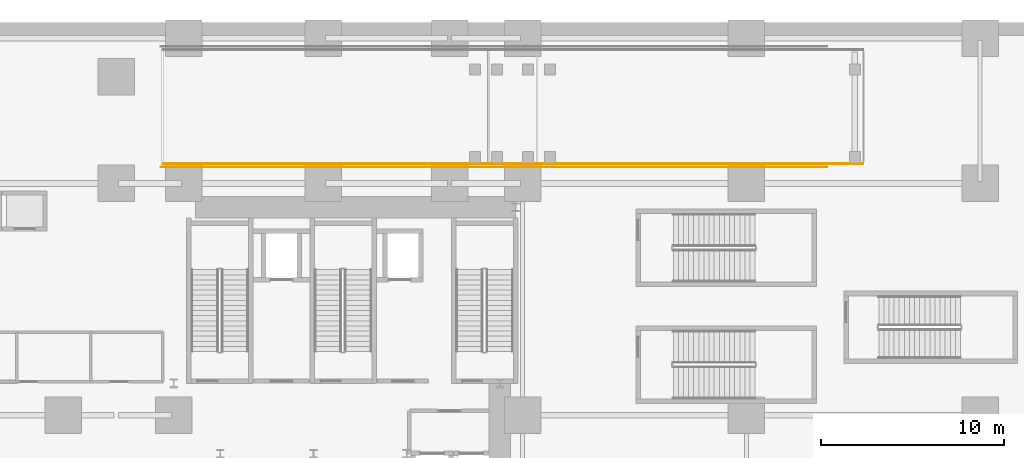
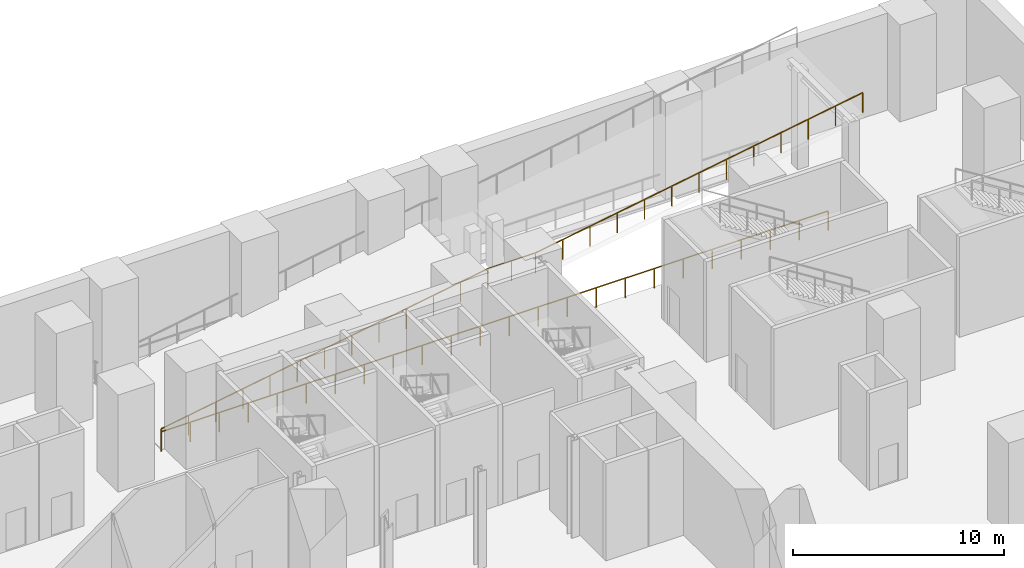
# One storey, part 12 of 16: 2 railings.
"""IFC4 building model written with IfcOpenShell, lengths in metres."""

from ifc_helpers import new_model, si_unit, direction, frame, origin, origin_2d, place, context, subcontext, project, spatial, rectangle, extrude, source, transform, mapped, material, type_object, element, save


model = new_model("IFC4")

# Units and contexts
model_context = context("Model", 3, precision=1e-05, world=origin(), true_north=direction((0.0, 1.0)))
body_context = subcontext(model_context, "Body", "Model", "MODEL_VIEW")
ifc_project = project(units=[si_unit("LENGTHUNIT", "METRE"), si_unit("AREAUNIT", "SQUARE_METRE"), si_unit("VOLUMEUNIT", "CUBIC_METRE"), si_unit("PLANEANGLEUNIT", "RADIAN"), si_unit("MASSUNIT", "GRAM", prefix="KILO")], contexts=[model_context])

# Site, building, storey
site_placement = place(None, origin())
site = spatial("IfcSite", under=ifc_project, at=site_placement, CompositionType="ELEMENT")
building_placement = place(site_placement, origin())
building = spatial("IfcBuilding", under=site, at=building_placement, Name="Vardaveli Station Tower", CompositionType="ELEMENT")
storey_placement = place(building_placement, frame((0.0, 0.0, -6.0)))
storey = spatial("IfcBuildingStorey", under=building, at=storey_placement, Name="B01", CompositionType="ELEMENT", Elevation=-6.0)

# Railings
ifc_material = material(Name="Brushed AISI 316 stainless steel", Category="steel")
railing_type = type_object("IfcRailingType", Name="RL-GUARD-1150", PredefinedType="GUARDRAIL", material=ifc_material)
shared_shape_1 = source(origin(), body_context, "Body", "SweptSolid", [
    extrude(rectangle(XDim=0.048095703125, YDim=0.048095703125, at=origin_2d()), frame((0.0, 0.0, 1.15576171875), z_axis=(-0.986229379368, 0.0, -0.165383225482), x_axis=(0.0, -1.0, 0.0)), (0.0, 0.0, 1.0), 18.1396484375),
    extrude(rectangle(XDim=0.048095703125, YDim=0.048095703125, at=origin_2d()), frame((-17.889892578125, 0.0, -1.84423828125), z_axis=(-1.0, 0.0, 0.0), x_axis=(0.0, -1.0, 0.0)), (0.0, 0.0, 1.0), 2.60009765625),
    extrude(rectangle(XDim=0.048095703125, YDim=0.048095703125, at=origin_2d()), frame((-20.489990234375, 0.0, -1.84423828125), z_axis=(-0.986153604981, 0.0, -0.165834457768), x_axis=(0.0, -1.0, 0.0)), (0.0, 0.0, 1.0), 18.09033203125),
    extrude(rectangle(XDim=0.0419921875, YDim=0.0419921875, at=origin_2d()), origin(), (0.0, 0.0, 1.0), 1.1318359375),
    extrude(rectangle(XDim=0.0419921875, YDim=0.0419921875, at=origin_2d()), frame((-1.49072265625, 0.0, -0.25)), (0.0, 0.0, 1.0), 1.1318359375),
    extrude(rectangle(XDim=0.0419921875, YDim=0.0419921875, at=origin_2d()), frame((-2.981689453125, 0.0, -0.5)), (0.0, 0.0, 1.0), 1.1318359375),
    extrude(rectangle(XDim=0.0419921875, YDim=0.0419921875, at=origin_2d()), frame((-4.472412109375, 0.0, -0.75)), (0.0, 0.0, 1.0), 1.1318359375),
    extrude(rectangle(XDim=0.0419921875, YDim=0.0419921875, at=origin_2d()), frame((-5.96337890625, 0.0, -1.0)), (0.0, 0.0, 1.0), 1.1318359375),
    extrude(rectangle(XDim=0.0419921875, YDim=0.0419921875, at=origin_2d()), frame((-7.4541015625, 0.0, -1.25)), (0.0, 0.0, 1.0), 1.1318359375),
    extrude(rectangle(XDim=0.0419921875, YDim=0.0419921875, at=origin_2d()), frame((-8.94482421875, 0.0, -1.5)), (0.0, 0.0, 1.0), 1.1318359375),
    extrude(rectangle(XDim=0.0419921875, YDim=0.0419921875, at=origin_2d()), frame((-10.435791015625, 0.0, -1.75)), (0.0, 0.0, 1.0), 1.1318359375),
    extrude(rectangle(XDim=0.0419921875, YDim=0.0419921875, at=origin_2d()), frame((-11.926513671875, 0.0, -2.0)), (0.0, 0.0, 1.0), 1.1318359375),
    extrude(rectangle(XDim=0.0419921875, YDim=0.0419921875, at=origin_2d()), frame((-13.41748046875, 0.0, -2.25)), (0.0, 0.0, 1.0), 1.1318359375),
    extrude(rectangle(XDim=0.0419921875, YDim=0.0419921875, at=origin_2d()), frame((-14.908203125, 0.0, -2.5)), (0.0, 0.0, 1.0), 1.1318359375),
    extrude(rectangle(XDim=0.0419921875, YDim=0.0419921875, at=origin_2d()), frame((-16.399169921875, 0.0, -2.75)), (0.0, 0.0, 1.0), 1.1318359375),
    extrude(rectangle(XDim=0.0419921875, YDim=0.0419921875, at=origin_2d()), frame((-17.889892578125, 0.0, -3.0)), (0.0, 0.0, 1.0), 1.1318359375),
    extrude(rectangle(XDim=0.0419921875, YDim=0.0419921875, at=origin_2d()), frame((-19.18994140625, 0.0, -3.0)), (0.0, 0.0, 1.0), 1.1318359375),
    extrude(rectangle(XDim=0.0419921875, YDim=0.0419921875, at=origin_2d()), frame((-20.489990234375, 0.0, -3.0)), (0.0, 0.0, 1.0), 1.1318359375),
    extrude(rectangle(XDim=0.0419921875, YDim=0.0419921875, at=origin_2d()), frame((-21.9765625, 0.0, -3.25)), (0.0, 0.0, 1.0), 1.1318359375),
    extrude(rectangle(XDim=0.0419921875, YDim=0.0419921875, at=origin_2d()), frame((-23.46337890625, 0.0, -3.5)), (0.0, 0.0, 1.0), 1.1318359375),
    extrude(rectangle(XDim=0.0419921875, YDim=0.0419921875, at=origin_2d()), frame((-24.949951171875, 0.0, -3.75)), (0.0, 0.0, 1.0), 1.1318359375),
    extrude(rectangle(XDim=0.0419921875, YDim=0.0419921875, at=origin_2d()), frame((-26.4365234375, 0.0, -4.0)), (0.0, 0.0, 1.0), 1.1318359375),
    extrude(rectangle(XDim=0.0419921875, YDim=0.0419921875, at=origin_2d()), frame((-27.92333984375, 0.0, -4.25)), (0.0, 0.0, 1.0), 1.1318359375),
    extrude(rectangle(XDim=0.0419921875, YDim=0.0419921875, at=origin_2d()), frame((-29.409912109375, 0.0, -4.5)), (0.0, 0.0, 1.0), 1.1318359375),
    extrude(rectangle(XDim=0.0419921875, YDim=0.0419921875, at=origin_2d()), frame((-30.896484375, 0.0, -4.75)), (0.0, 0.0, 1.0), 1.1318359375),
    extrude(rectangle(XDim=0.0419921875, YDim=0.0419921875, at=origin_2d()), frame((-32.38330078125, 0.0, -5.0)), (0.0, 0.0, 1.0), 1.1318359375),
    extrude(rectangle(XDim=0.0419921875, YDim=0.0419921875, at=origin_2d()), frame((-33.869873046875, 0.0, -5.25)), (0.0, 0.0, 1.0), 1.1318359375),
    extrude(rectangle(XDim=0.0419921875, YDim=0.0419921875, at=origin_2d()), frame((-35.3564453125, 0.0, -5.5)), (0.0, 0.0, 1.0), 1.1318359375),
    extrude(rectangle(XDim=0.0419921875, YDim=0.0419921875, at=origin_2d()), frame((-36.84326171875, 0.0, -5.75)), (0.0, 0.0, 1.0), 1.1318359375),
    extrude(rectangle(XDim=0.0419921875, YDim=0.0419921875, at=origin_2d()), frame((-38.329833984375, 0.0, -6.0)), (0.0, 0.0, 1.0), 1.1318359375),
])
railing_1_placement = place(storey_placement, frame((66.389892578125, 42.679931640625, 6.0)))
element("IfcRailing", 1, at=railing_1_placement, inside=storey, type_object=railing_type, Name="RL-RMP-VEH-01-S", PredefinedType="GUARDRAIL", context=body_context, shape_type="MappedRepresentation", body=[
    mapped(shared_shape_1, transform((0.0, 0.0, 0.0), scale=1.0)),
])
shared_shape_2 = source(origin(), body_context, "Body", "SweptSolid", [
    extrude(rectangle(XDim=0.048095703125, YDim=0.048095703125, at=origin_2d()), frame((0.0, 0.0, 1.1259765625), z_axis=(-1.0, 0.0, 0.0), x_axis=(0.0, -1.0, 0.0)), (0.0, 0.0, 1.0), 36.449951171875),
    extrude(rectangle(XDim=0.0419921875, YDim=0.0419921875, at=origin_2d()), origin(), (0.0, 0.0, 1.0), 1.101806640625),
    extrude(rectangle(XDim=0.0419921875, YDim=0.0419921875, at=origin_2d()), frame((-1.584716796875, 0.0, 0.0)), (0.0, 0.0, 1.0), 1.101806640625),
    extrude(rectangle(XDim=0.0419921875, YDim=0.0419921875, at=origin_2d()), frame((-3.169677734375, 0.0, 0.0)), (0.0, 0.0, 1.0), 1.101806640625),
    extrude(rectangle(XDim=0.0419921875, YDim=0.0419921875, at=origin_2d()), frame((-4.75439453125, 0.0, 0.0)), (0.0, 0.0, 1.0), 1.101806640625),
    extrude(rectangle(XDim=0.0419921875, YDim=0.0419921875, at=origin_2d()), frame((-6.339111328125, 0.0, 0.0)), (0.0, 0.0, 1.0), 1.101806640625),
    extrude(rectangle(XDim=0.0419921875, YDim=0.0419921875, at=origin_2d()), frame((-7.923828125, 0.0, 0.0)), (0.0, 0.0, 1.0), 1.101806640625),
    extrude(rectangle(XDim=0.0419921875, YDim=0.0419921875, at=origin_2d()), frame((-9.5087890625, 0.0, 0.0)), (0.0, 0.0, 1.0), 1.101806640625),
    extrude(rectangle(XDim=0.0419921875, YDim=0.0419921875, at=origin_2d()), frame((-11.093505859375, 0.0, 0.0)), (0.0, 0.0, 1.0), 1.101806640625),
    extrude(rectangle(XDim=0.0419921875, YDim=0.0419921875, at=origin_2d()), frame((-12.67822265625, 0.0, 0.0)), (0.0, 0.0, 1.0), 1.101806640625),
    extrude(rectangle(XDim=0.0419921875, YDim=0.0419921875, at=origin_2d()), frame((-14.262939453125, 0.0, 0.0)), (0.0, 0.0, 1.0), 1.101806640625),
    extrude(rectangle(XDim=0.0419921875, YDim=0.0419921875, at=origin_2d()), frame((-15.847900390625, 0.0, 0.0)), (0.0, 0.0, 1.0), 1.101806640625),
    extrude(rectangle(XDim=0.0419921875, YDim=0.0419921875, at=origin_2d()), frame((-17.4326171875, 0.0, 0.0)), (0.0, 0.0, 1.0), 1.101806640625),
    extrude(rectangle(XDim=0.0419921875, YDim=0.0419921875, at=origin_2d()), frame((-19.017333984375, 0.0, 0.0)), (0.0, 0.0, 1.0), 1.101806640625),
    extrude(rectangle(XDim=0.0419921875, YDim=0.0419921875, at=origin_2d()), frame((-20.60205078125, 0.0, 0.0)), (0.0, 0.0, 1.0), 1.101806640625),
    extrude(rectangle(XDim=0.0419921875, YDim=0.0419921875, at=origin_2d()), frame((-22.18701171875, 0.0, 0.0)), (0.0, 0.0, 1.0), 1.101806640625),
    extrude(rectangle(XDim=0.0419921875, YDim=0.0419921875, at=origin_2d()), frame((-23.771728515625, 0.0, 0.0)), (0.0, 0.0, 1.0), 1.101806640625),
    extrude(rectangle(XDim=0.0419921875, YDim=0.0419921875, at=origin_2d()), frame((-25.3564453125, 0.0, 0.0)), (0.0, 0.0, 1.0), 1.101806640625),
    extrude(rectangle(XDim=0.0419921875, YDim=0.0419921875, at=origin_2d()), frame((-26.941162109375, 0.0, 0.0)), (0.0, 0.0, 1.0), 1.101806640625),
    extrude(rectangle(XDim=0.0419921875, YDim=0.0419921875, at=origin_2d()), frame((-28.526123046875, 0.0, 0.0)), (0.0, 0.0, 1.0), 1.101806640625),
    extrude(rectangle(XDim=0.0419921875, YDim=0.0419921875, at=origin_2d()), frame((-30.11083984375, 0.0, 0.0)), (0.0, 0.0, 1.0), 1.101806640625),
    extrude(rectangle(XDim=0.0419921875, YDim=0.0419921875, at=origin_2d()), frame((-31.695556640625, 0.0, 0.0)), (0.0, 0.0, 1.0), 1.101806640625),
    extrude(rectangle(XDim=0.0419921875, YDim=0.0419921875, at=origin_2d()), frame((-33.2802734375, 0.0, 0.0)), (0.0, 0.0, 1.0), 1.101806640625),
    extrude(rectangle(XDim=0.0419921875, YDim=0.0419921875, at=origin_2d()), frame((-34.865234375, 0.0, 0.0)), (0.0, 0.0, 1.0), 1.101806640625),
    extrude(rectangle(XDim=0.0419921875, YDim=0.0419921875, at=origin_2d()), frame((-36.449951171875, 0.0, 0.0)), (0.0, 0.0, 1.0), 1.101806640625),
])
railing_2_placement = place(storey_placement, frame((64.39990234375, 42.5, 0.0)))
element("IfcRailing", 2, at=railing_2_placement, inside=storey, type_object=railing_type, Name="RL-B01-VR02", PredefinedType="GUARDRAIL", context=body_context, shape_type="MappedRepresentation", body=[
    mapped(shared_shape_2, transform((0.0, 0.0, 0.0), scale=1.0)),
])

save(model, "model.ifc")
